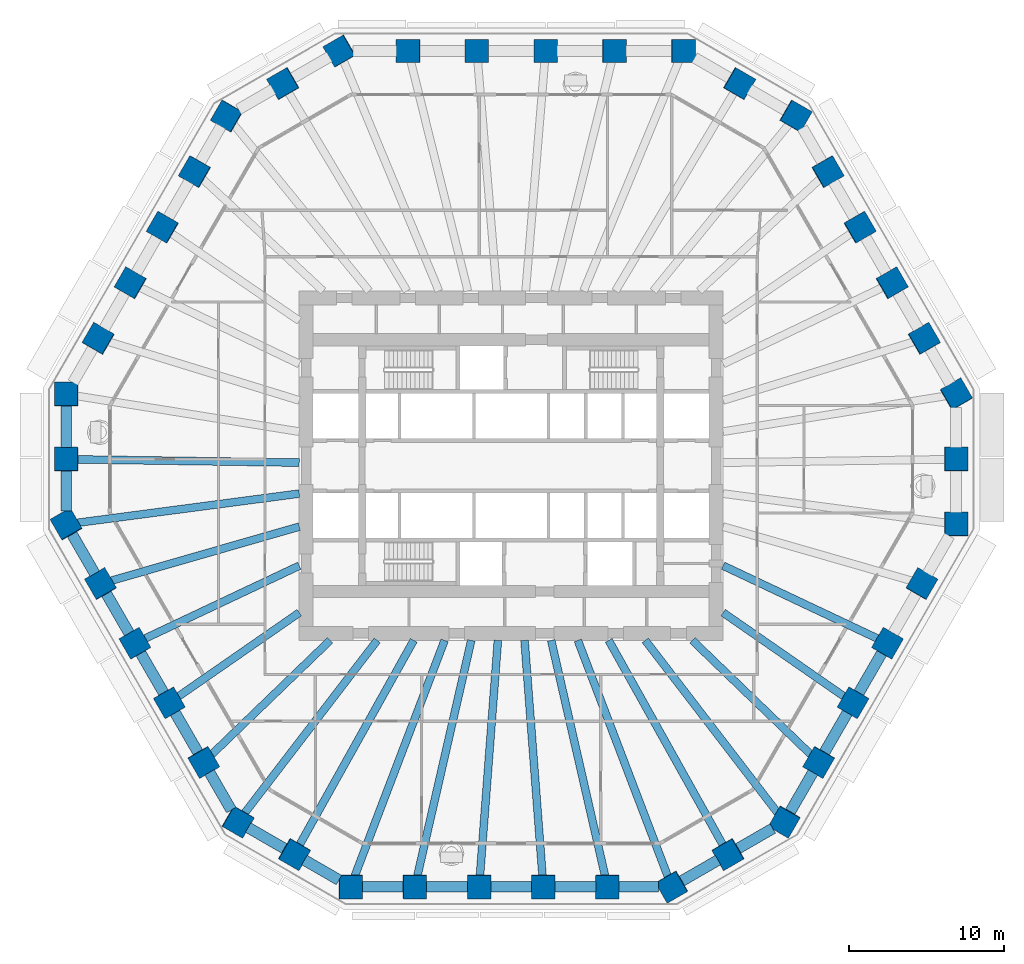
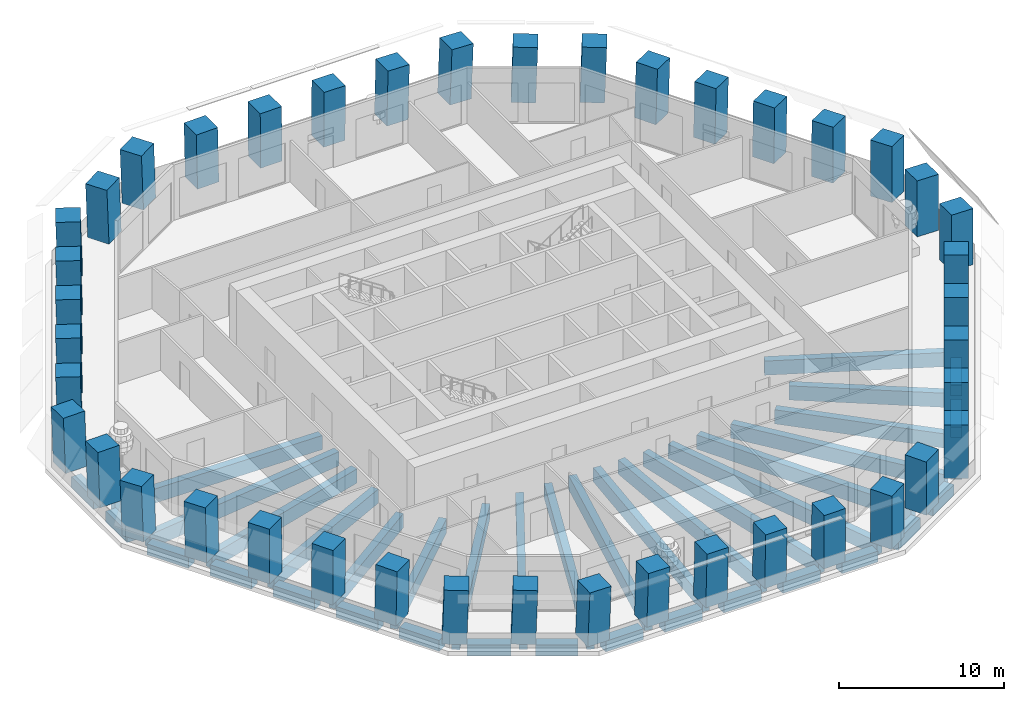
# One storey, part 1 of 13: 42 columns, 38 beams.
"""IFC4 building model written with IfcOpenShell, lengths in metres."""

from ifc_helpers import new_model, si_unit, direction, frame, origin, origin_2d, place, context, subcontext, project, spatial, rectangle, extrude, material, material_profile, profile_set, type_object, element, save


model = new_model("IFC4")

# Units and contexts
model_context = context("Model", 3, precision=1e-05, world=origin(), true_north=direction((0.0, 1.0)))
body_context = subcontext(model_context, "Body", "Model", "MODEL_VIEW")
ifc_project = project(units=[si_unit("LENGTHUNIT", "METRE"), si_unit("AREAUNIT", "SQUARE_METRE"), si_unit("VOLUMEUNIT", "CUBIC_METRE"), si_unit("PLANEANGLEUNIT", "RADIAN"), si_unit("MASSUNIT", "GRAM", prefix="KILO")], contexts=[model_context])

# Site, building, storey
site_placement = place(None, origin())
site = spatial("IfcSite", under=ifc_project, at=site_placement, CompositionType="ELEMENT")
building_placement = place(site_placement, origin())
building = spatial("IfcBuilding", under=site, at=building_placement, Name="Frailejon Research Tower", CompositionType="ELEMENT")
storey_placement = place(building_placement, frame((0.0, 0.0, 27.800048828125)))
storey = spatial("IfcBuildingStorey", under=building, at=storey_placement, Name="L06", CompositionType="ELEMENT", Elevation=27.800048828125)

# Columns
ifc_material_1 = material(Name="Concrete C70/85", Category="concrete")
ifc_material_profile_1 = material_profile(ifc_material_1, rectangle(XDim=1.5, YDim=1.5, at=origin_2d()), Name="Column 1500")
ifc_profile_set_1 = profile_set([ifc_material_profile_1], Name="Concrete C70/85")
column_type = type_object("IfcColumnType", Name="Column 1500", PredefinedType="COLUMN", material=ifc_profile_set_1)
for number, where, z_axis, x_axis, name in (
    (1, (28.65234375, -3.772705078125, 0.0), (0.018132630042, 0.031385715123, 0.999342856388), (-0.000336383425, 0.999507319949, -0.031384776797), "Column C01"),
    (2, (28.65234375, 0.414794921875, 0.0), (0.018132630042, 0.031385715123, 0.999342856388), (-2.2275817e-05, 0.999507197449, -0.031390472292), "Column C02"),
    (3, (28.65234375, 4.602294921875, 0.0), (0.018132595726, 0.031445896907, 0.999340965106), (-0.50065774428, 0.865455051457, -0.018148746509), "Column C03"),
):
    element("IfcColumn", number, at=place(storey_placement, frame(where, z_axis=z_axis, x_axis=x_axis)), inside=storey, type_object=column_type, Name=name, PredefinedType="COLUMN", context=body_context, shape_type="SweptSolid", body=[
        extrude(rectangle(XDim=1.5, YDim=1.5, at=origin_2d()), origin(), (0.0, 0.0, 1.0), 4.052734375),
    ])
column_1_placement = place(storey_placement, frame((26.584228515625, 8.184326171875, 0.0), z_axis=(0.021749390218, 0.025123256844, 0.9994477405), x_axis=(-0.500502362591, 0.865666942435, -0.01086875412)))
element("IfcColumn", 4, at=column_1_placement, inside=storey, type_object=column_type, Name="Column C04", PredefinedType="COLUMN", context=body_context, shape_type="SweptSolid", body=[
    extrude(rectangle(XDim=1.5, YDim=1.5, at=origin_2d()), origin(), (0.0, 0.0, 1.0), 4.05224609375),
])
for number, where, z_axis, x_axis, name in (
    (5, (24.51611328125, 11.766357421875, 0.0), (0.025365582388, 0.018858497119, 0.999500347332), (-0.500321526885, 0.865832042738, -0.003639162491), "Column C05"),
    (6, (22.447998046875, 15.348388671875, 0.0), (0.029040838643, 0.012592396839, 0.999498905068), (-0.500309041058, 0.865839303482, 0.003628220107), "Column C06"),
):
    element("IfcColumn", number, at=place(storey_placement, frame(where, z_axis=z_axis, x_axis=x_axis)), inside=storey, type_object=column_type, Name=name, PredefinedType="COLUMN", context=body_context, shape_type="SweptSolid", body=[
        extrude(rectangle(XDim=1.5, YDim=1.5, at=origin_2d()), origin(), (0.0, 0.0, 1.0), 4.052001953125),
    ])
column_2_placement = place(storey_placement, frame((20.3798828125, 18.930419921875, 0.0), z_axis=(0.032654187208, 0.006265748099, 0.999447069363), x_axis=(-0.498938011444, 0.86656951925, 0.010868718561)))
element("IfcColumn", 7, at=column_2_placement, inside=storey, type_object=column_type, Name="Column C07", PredefinedType="COLUMN", context=body_context, shape_type="SweptSolid", body=[
    extrude(rectangle(XDim=1.5, YDim=1.5, at=origin_2d()), origin(), (0.0, 0.0, 1.0), 4.05224609375),
])
for number, where, z_axis, x_axis, name in (
    (8, (18.31201171875, 22.512451171875, 0.0), (0.036265236264, 0.0, 0.999342199969), (-0.865313546461, 0.500246354177, 0.031401456084), "Column C08"),
    (9, (14.685302734375, 24.606201171875, 0.0), (0.036325398096, 0.0, 0.999340014936), (-0.865311654478, 0.500246354177, 0.031453549198), "Column C09"),
    (10, (11.058837890625, 26.699951171875, 0.0), (0.036265236264, 0.0, 0.999342199969), (-0.999342199969, 0.0, 0.036265236264), "Column C10"),
):
    element("IfcColumn", number, at=place(storey_placement, frame(where, z_axis=z_axis, x_axis=x_axis)), inside=storey, type_object=column_type, Name=name, PredefinedType="COLUMN", context=body_context, shape_type="SweptSolid", body=[
        extrude(rectangle(XDim=1.5, YDim=1.5, at=origin_2d()), origin(), (0.0, 0.0, 1.0), 4.052734375),
    ])
column_3_placement = place(storey_placement, frame((6.63525390625, 26.699951171875, 0.0), z_axis=(0.021756257337, 0.0, 0.999763304621), x_axis=(-0.999763304621, 0.0, 0.021756257337)))
element("IfcColumn", 11, at=column_3_placement, inside=storey, type_object=column_type, Name="Column C11", PredefinedType="COLUMN", context=body_context, shape_type="SweptSolid", body=[
    extrude(rectangle(XDim=1.5, YDim=1.5, at=origin_2d()), origin(), (0.0, 0.0, 1.0), 4.051025390625),
])
for number, where, z_axis, x_axis, name in (
    (12, (2.2119140625, 26.699951171875, 0.0), (0.007233519834, 0.0, 0.999973837753), (-0.999973837753, 0.0, 0.007233519834), "Column C12"),
    (13, (-2.2119140625, 26.699951171875, 0.0), (-0.007233519834, 0.0, 0.999973837753), (-0.999973837753, 0.0, -0.007233519834), "Column C13"),
):
    element("IfcColumn", number, at=place(storey_placement, frame(where, z_axis=z_axis, x_axis=x_axis)), inside=storey, type_object=column_type, Name=name, PredefinedType="COLUMN", context=body_context, shape_type="SweptSolid", body=[
        extrude(rectangle(XDim=1.5, YDim=1.5, at=origin_2d()), origin(), (0.0, 0.0, 1.0), 4.050048828125),
    ])
column_4_placement = place(storey_placement, frame((-6.63525390625, 26.699951171875, 0.0), z_axis=(-0.021756257337, 0.0, 0.999763304621), x_axis=(-0.999763304621, 0.0, -0.021756257337)))
element("IfcColumn", 14, at=column_4_placement, inside=storey, type_object=column_type, Name="Column C14", PredefinedType="COLUMN", context=body_context, shape_type="SweptSolid", body=[
    extrude(rectangle(XDim=1.5, YDim=1.5, at=origin_2d()), origin(), (0.0, 0.0, 1.0), 4.051025390625),
])
for number, where, z_axis, x_axis, name in (
    (15, (-11.058837890625, 26.699951171875, 0.0), (-0.036265236264, 0.0, 0.999342199969), (-0.865313546461, -0.500246354177, -0.031401456084), "Column C15"),
    (16, (-14.685302734375, 24.606201171875, 0.0), (-0.036325398096, 0.0, 0.999340014936), (-0.865311654478, -0.500246354177, -0.031453549198), "Column C16"),
    (17, (-18.31201171875, 22.512451171875, 0.0), (-0.036265236264, 0.0, 0.999342199969), (-0.499424867419, -0.866167613071, -0.018123682572), "Column C17"),
):
    element("IfcColumn", number, at=place(storey_placement, frame(where, z_axis=z_axis, x_axis=x_axis)), inside=storey, type_object=column_type, Name=name, PredefinedType="COLUMN", context=body_context, shape_type="SweptSolid", body=[
        extrude(rectangle(XDim=1.5, YDim=1.5, at=origin_2d()), origin(), (0.0, 0.0, 1.0), 4.052734375),
    ])
column_5_placement = place(storey_placement, frame((-20.3798828125, 18.930419921875, 0.0), z_axis=(-0.032654187208, 0.006265748099, 0.999447069363), x_axis=(-0.498938011444, -0.86656951925, -0.010868718561)))
element("IfcColumn", 18, at=column_5_placement, inside=storey, type_object=column_type, Name="Column C18", PredefinedType="COLUMN", context=body_context, shape_type="SweptSolid", body=[
    extrude(rectangle(XDim=1.5, YDim=1.5, at=origin_2d()), origin(), (0.0, 0.0, 1.0), 4.05224609375),
])
for number, where, z_axis, x_axis, name in (
    (19, (-22.447998046875, 15.348388671875, 0.0), (-0.029040838643, 0.012592396839, 0.999498905068), (-0.500309041058, -0.865839303482, -0.003628220107), "Column C19"),
    (20, (-24.51611328125, 11.766357421875, 0.0), (-0.025365582388, 0.018858497119, 0.999500347332), (-0.500321526885, -0.865832042738, 0.003639162491), "Column C20"),
):
    element("IfcColumn", number, at=place(storey_placement, frame(where, z_axis=z_axis, x_axis=x_axis)), inside=storey, type_object=column_type, Name=name, PredefinedType="COLUMN", context=body_context, shape_type="SweptSolid", body=[
        extrude(rectangle(XDim=1.5, YDim=1.5, at=origin_2d()), origin(), (0.0, 0.0, 1.0), 4.052001953125),
    ])
column_6_placement = place(storey_placement, frame((-26.584228515625, 8.184326171875, 0.0), z_axis=(-0.021749390218, 0.025123256844, 0.9994477405), x_axis=(-0.500502362591, -0.865666942435, 0.01086875412)))
element("IfcColumn", 21, at=column_6_placement, inside=storey, type_object=column_type, Name="Column C21", PredefinedType="COLUMN", context=body_context, shape_type="SweptSolid", body=[
    extrude(rectangle(XDim=1.5, YDim=1.5, at=origin_2d()), origin(), (0.0, 0.0, 1.0), 4.05224609375),
])
for number, where, z_axis, x_axis, name in (
    (22, (-28.65234375, 4.602294921875, 0.0), (-0.018132595726, 0.031445896907, 0.999340965106), (-0.000852885111, -0.999505415626, 0.031435596392), "Column C22"),
    (23, (-28.65234375, 0.414794921875, 0.0), (-0.018132630042, 0.031385715123, 0.999342856388), (-2.2275817e-05, -0.999507197449, 0.031390472292), "Column C23"),
    (24, (-28.65234375, -3.772705078125, 0.0), (-0.018132630042, 0.031385715123, 0.999342856388), (0.49987281181, -0.865340000596, 0.036247143087), "Column C24"),
):
    element("IfcColumn", number, at=place(storey_placement, frame(where, z_axis=z_axis, x_axis=x_axis)), inside=storey, type_object=column_type, Name=name, PredefinedType="COLUMN", context=body_context, shape_type="SweptSolid", body=[
        extrude(rectangle(XDim=1.5, YDim=1.5, at=origin_2d()), origin(), (0.0, 0.0, 1.0), 4.052734375),
    ])
column_7_placement = place(storey_placement, frame((-26.4404296875, -7.603515625, 0.0), z_axis=(-0.010908266268, 0.018803199313, 0.999763696792), x_axis=(0.501388074159, -0.864949390756, 0.021738227219)))
element("IfcColumn", 25, at=column_7_placement, inside=storey, type_object=column_type, Name="Column C25", PredefinedType="COLUMN", context=body_context, shape_type="SweptSolid", body=[
    extrude(rectangle(XDim=1.5, YDim=1.5, at=origin_2d()), origin(), (0.0, 0.0, 1.0), 4.051025390625),
])
for number, where, z_axis, x_axis, name in (
    (26, (-24.228759765625, -11.4345703125, 0.0), (-0.003616759812, 0.006269050341, 0.999973808685), (0.500530036588, -0.865688916746, 0.00723753388), "Column C26"),
    (27, (-22.01708984375, -15.265380859375, 0.0), (0.003677036938, -0.006329325876, 0.999973209158), (0.500791168023, -0.86553718882, -0.007319890655), "Column C27"),
):
    element("IfcColumn", number, at=place(storey_placement, frame(where, z_axis=z_axis, x_axis=x_axis)), inside=storey, type_object=column_type, Name=name, PredefinedType="COLUMN", context=body_context, shape_type="SweptSolid", body=[
        extrude(rectangle(XDim=1.5, YDim=1.5, at=origin_2d()), origin(), (0.0, 0.0, 1.0), 4.050048828125),
    ])
column_8_placement = place(storey_placement, frame((-19.80517578125, -19.096435546875, 0.0), z_axis=(0.010908266268, -0.018803199313, 0.999763696792), x_axis=(0.501388074159, -0.864949390756, -0.021738227219)))
element("IfcColumn", 28, at=column_8_placement, inside=storey, type_object=column_type, Name="Column C28", PredefinedType="COLUMN", context=body_context, shape_type="SweptSolid", body=[
    extrude(rectangle(XDim=1.5, YDim=1.5, at=origin_2d()), origin(), (0.0, 0.0, 1.0), 4.051025390625),
])
for number, where, z_axis, x_axis, name in (
    (29, (-17.593505859375, -22.92724609375, 0.0), (0.018132630042, -0.031385715123, 0.999342856388), (0.865999247617, -0.499059286831, -0.031386802217), "Column C29"),
    (30, (-13.966796875, -25.02099609375, 0.0), (0.018132630042, -0.031385715123, 0.999342856388), (0.866156195426, -0.498787200508, -0.031381104725), "Column C30"),
    (31, (-10.34033203125, -27.11474609375, 0.0), (0.018132595726, -0.031445896907, 0.999340965106), (0.99983524919, -0.000256147078, -0.018149624376), "Column C31"),
):
    element("IfcColumn", number, at=place(storey_placement, frame(where, z_axis=z_axis, x_axis=x_axis)), inside=storey, type_object=column_type, Name=name, PredefinedType="COLUMN", context=body_context, shape_type="SweptSolid", body=[
        extrude(rectangle(XDim=1.5, YDim=1.5, at=origin_2d()), origin(), (0.0, 0.0, 1.0), 4.052734375),
    ])
column_9_placement = place(storey_placement, frame((-6.2041015625, -27.11474609375, 0.0), z_axis=(0.010844558034, -0.031449218299, 0.999446517944), x_axis=(0.999940272601, -0.001017302155, -0.010881926626)))
element("IfcColumn", 32, at=column_9_placement, inside=storey, type_object=column_type, Name="Column C32", PredefinedType="COLUMN", context=body_context, shape_type="SweptSolid", body=[
    extrude(rectangle(XDim=1.5, YDim=1.5, at=origin_2d()), origin(), (0.0, 0.0, 1.0), 4.05224609375),
])
for number, where, z_axis, x_axis, name in (
    (33, (-2.068115234375, -27.11474609375, 0.0), (0.003615041636, -0.031450862236, 0.999498761749), (0.999993193045, -0.000624412618, -0.003636478086), "Column C33"),
    (34, (2.068115234375, -27.11474609375, 0.0), (-0.003615041636, -0.031450862236, 0.999498761749), (0.999993193045, 0.000624412618, 0.003636478086), "Column C34"),
):
    element("IfcColumn", number, at=place(storey_placement, frame(where, z_axis=z_axis, x_axis=x_axis)), inside=storey, type_object=column_type, Name=name, PredefinedType="COLUMN", context=body_context, shape_type="SweptSolid", body=[
        extrude(rectangle(XDim=1.5, YDim=1.5, at=origin_2d()), origin(), (0.0, 0.0, 1.0), 4.052001953125),
    ])
column_10_placement = place(storey_placement, frame((6.2041015625, -27.11474609375, 0.0), z_axis=(-0.010844558034, -0.031449218299, 0.999446517944), x_axis=(0.999940272601, 0.001017302155, 0.010881926626)))
element("IfcColumn", 35, at=column_10_placement, inside=storey, type_object=column_type, Name="Column C35", PredefinedType="COLUMN", context=body_context, shape_type="SweptSolid", body=[
    extrude(rectangle(XDim=1.5, YDim=1.5, at=origin_2d()), origin(), (0.0, 0.0, 1.0), 4.05224609375),
])
for number, where, z_axis, x_axis, name in (
    (36, (10.34033203125, -27.11474609375, 0.0), (-0.018132595726, -0.031445896907, 0.999340965106), (0.865469370655, 0.499974541214, 0.031436071558), "Column C36"),
    (37, (13.966796875, -25.02099609375, 0.0), (-0.018132630042, -0.031385715123, 0.999342856388), (0.866156195426, 0.498787200508, 0.031381104725), "Column C37"),
    (38, (17.593505859375, -22.92724609375, 0.0), (-0.018132630042, -0.031385715123, 0.999342856388), (0.49987281181, 0.865340000596, 0.036247143087), "Column C38"),
):
    element("IfcColumn", number, at=place(storey_placement, frame(where, z_axis=z_axis, x_axis=x_axis)), inside=storey, type_object=column_type, Name=name, PredefinedType="COLUMN", context=body_context, shape_type="SweptSolid", body=[
        extrude(rectangle(XDim=1.5, YDim=1.5, at=origin_2d()), origin(), (0.0, 0.0, 1.0), 4.052734375),
    ])
column_11_placement = place(storey_placement, frame((19.80517578125, -19.096435546875, 0.0), z_axis=(-0.010908266268, -0.018803199313, 0.999763696792), x_axis=(0.501388074159, 0.864949390756, 0.021738227219)))
element("IfcColumn", 39, at=column_11_placement, inside=storey, type_object=column_type, Name="Column C39", PredefinedType="COLUMN", context=body_context, shape_type="SweptSolid", body=[
    extrude(rectangle(XDim=1.5, YDim=1.5, at=origin_2d()), origin(), (0.0, 0.0, 1.0), 4.051025390625),
])
for number, where, z_axis, x_axis, name in (
    (40, (22.01708984375, -15.265380859375, 0.0), (-0.003677036938, -0.006329325876, 0.999973209158), (0.500791168023, 0.86553718882, 0.007319890655), "Column C40"),
    (41, (24.228759765625, -11.4345703125, 0.0), (0.003616759812, 0.006269050341, 0.999973808685), (0.500530036588, 0.865688916746, -0.00723753388), "Column C41"),
):
    element("IfcColumn", number, at=place(storey_placement, frame(where, z_axis=z_axis, x_axis=x_axis)), inside=storey, type_object=column_type, Name=name, PredefinedType="COLUMN", context=body_context, shape_type="SweptSolid", body=[
        extrude(rectangle(XDim=1.5, YDim=1.5, at=origin_2d()), origin(), (0.0, 0.0, 1.0), 4.050048828125),
    ])
column_12_placement = place(storey_placement, frame((26.4404296875, -7.603515625, 0.0), z_axis=(0.010908266268, 0.018803199313, 0.999763696792), x_axis=(0.501388074159, 0.864949390756, -0.021738227219)))
element("IfcColumn", 42, at=column_12_placement, inside=storey, type_object=column_type, Name="Column C42", PredefinedType="COLUMN", context=body_context, shape_type="SweptSolid", body=[
    extrude(rectangle(XDim=1.5, YDim=1.5, at=origin_2d()), origin(), (0.0, 0.0, 1.0), 4.051025390625),
])

# Beams
ifc_material_2 = material(Name="Concrete C60/75", Category="concrete")
ifc_material_profile_2 = material_profile(ifc_material_2, rectangle(XDim=0.5, YDim=1.050048828125, at=origin_2d()), Name="Girder 500x1050")
ifc_profile_set_2 = profile_set([ifc_material_profile_2], Name="Concrete C60/75")
beam_type_1 = type_object("IfcBeamType", Name="Girder 500x1050", PredefinedType="BEAM", material=ifc_profile_set_2)
beam_1_placement = place(storey_placement, frame((-28.05224609375, 0.406005859375, -0.824951171875), z_axis=(0.999895231374, -0.014475022505, 0.0), x_axis=(0.014475022505, 0.999895231374, 0.0)))
element("IfcBeam", 43, at=beam_1_placement, inside=storey, type_object=beam_type_1, Name="Girder 500x1050", PredefinedType="BEAM", context=body_context, shape_type="SweptSolid", body=[
    extrude(rectangle(XDim=0.5, YDim=1.050048828125, at=origin_2d()), origin(), (0.0, 0.0, 1.0), 14.40380859375),
])
beam_2_placement = place(storey_placement, frame((-27.99609375, -3.686279296875, -0.824951171875), z_axis=(0.991443036075, 0.130540055991, 0.0), x_axis=(-0.130540055991, 0.991443036075, 0.0)))
element("IfcBeam", 44, at=beam_2_placement, inside=storey, type_object=beam_type_1, Name="Girder 500x1050", PredefinedType="BEAM", context=body_context, shape_type="SweptSolid", body=[
    extrude(rectangle(XDim=0.5, YDim=1.050048828125, at=origin_2d()), origin(), (0.0, 0.0, 1.0), 14.469970703125),
])
beam_3_placement = place(storey_placement, frame((-25.841796875, -7.431396484375, -0.824951171875), z_axis=(0.961049753926, 0.276375415838, 0.0), x_axis=(-0.276375415838, 0.961049753926, 0.0)))
element("IfcBeam", 45, at=beam_3_placement, inside=storey, type_object=beam_type_1, Name="Girder 500x1050", PredefinedType="BEAM", context=body_context, shape_type="SweptSolid", body=[
    extrude(rectangle(XDim=0.5, YDim=1.050048828125, at=origin_2d()), origin(), (0.0, 0.0, 1.0), 12.68603515625),
])
beam_4_placement = place(storey_placement, frame((-23.683837890625, -11.17724609375, -0.824951171875), z_axis=(0.904349396499, 0.426792887771, 0.0), x_axis=(-0.426792887771, 0.904349396499, 0.0)))
element("IfcBeam", 46, at=beam_4_placement, inside=storey, type_object=beam_type_1, Name="Girder 500x1050", PredefinedType="BEAM", context=body_context, shape_type="SweptSolid", body=[
    extrude(rectangle(XDim=0.5, YDim=1.050048828125, at=origin_2d()), origin(), (0.0, 0.0, 1.0), 11.09521484375),
])
beam_5_placement = place(storey_placement, frame((-21.521728515625, -14.922119140625, -0.824951171875), z_axis=(0.821787347361, 0.569794310008, 0.0), x_axis=(-0.569794310008, 0.821787347361, 0.0)))
element("IfcBeam", 47, at=beam_5_placement, inside=storey, type_object=beam_type_1, Name="Girder 500x1050", PredefinedType="BEAM", context=body_context, shape_type="SweptSolid", body=[
    extrude(rectangle(XDim=0.5, YDim=1.050048828125, at=origin_2d()), origin(), (0.0, 0.0, 1.0), 9.578857421875),
])
beam_6_placement = place(storey_placement, frame((-19.35693359375, -18.6640625, -0.824951171875), z_axis=(0.719880187671, 0.694098347066, 0.0), x_axis=(-0.694098347066, 0.719880187671, 0.0)))
element("IfcBeam", 48, at=beam_6_placement, inside=storey, type_object=beam_type_1, Name="Girder 500x1050", PredefinedType="BEAM", context=body_context, shape_type="SweptSolid", body=[
    extrude(rectangle(XDim=0.5, YDim=1.050048828125, at=origin_2d()), origin(), (0.0, 0.0, 1.0), 10.681640625),
])
beam_7_placement = place(storey_placement, frame((-17.22412109375, -22.4462890625, -0.824951171875), z_axis=(0.608765613754, 0.793350129206, 0.0), x_axis=(-0.793350129206, 0.608765613754, 0.0)))
element("IfcBeam", 49, at=beam_7_placement, inside=storey, type_object=beam_type_1, Name="Girder 500x1050", PredefinedType="BEAM", context=body_context, shape_type="SweptSolid", body=[
    extrude(rectangle(XDim=0.5, YDim=1.050048828125, at=origin_2d()), origin(), (0.0, 0.0, 1.0), 14.112548828125),
])
beam_8_placement = place(storey_placement, frame((-13.67431640625, -24.4970703125, -0.824951171875), z_axis=(0.487407249146, 0.87317476686, 0.0), x_axis=(-0.87317476686, 0.487407249146, 0.0)))
element("IfcBeam", 50, at=beam_8_placement, inside=storey, type_object=beam_type_1, Name="Girder 500x1050", PredefinedType="BEAM", context=body_context, shape_type="SweptSolid", body=[
    extrude(rectangle(XDim=0.5, YDim=1.050048828125, at=origin_2d()), origin(), (0.0, 0.0, 1.0), 15.171142578125),
])
beam_9_placement = place(storey_placement, frame((-10.10791015625, -26.5048828125, -0.824951171875), z_axis=(0.356329229017, 0.934360466067, 0.0), x_axis=(-0.934360466067, 0.356329229017, 0.0)))
element("IfcBeam", 51, at=beam_9_placement, inside=storey, type_object=beam_type_1, Name="Girder 500x1050", PredefinedType="BEAM", context=body_context, shape_type="SweptSolid", body=[
    extrude(rectangle(XDim=0.5, YDim=1.050048828125, at=origin_2d()), origin(), (0.0, 0.0, 1.0), 16.32666015625),
])
beam_10_placement = place(storey_placement, frame((-6.06591796875, -26.510986328125, -0.824951171875), z_axis=(0.223035669796, 0.974810284106, 0.0), x_axis=(-0.974810284106, 0.223035669796, 0.0)))
element("IfcBeam", 52, at=beam_10_placement, inside=storey, type_object=beam_type_1, Name="Girder 500x1050", PredefinedType="BEAM", context=body_context, shape_type="SweptSolid", body=[
    extrude(rectangle(XDim=0.5, YDim=1.050048828125, at=origin_2d()), origin(), (0.0, 0.0, 1.0), 15.6552734375),
])
for number, where, z_axis, x_axis, name in (
    (53, (-2.022216796875, -26.514404296875, -0.824951171875), (0.076039151074, 0.997104832755, 0.0), (-0.997104832755, 0.076039151074, 0.0), "Girder 500x1050"),
    (54, (2.022216796875, -26.514404296875, -0.824951171875), (-0.076039151074, 0.997104832755, 0.0), (-0.997104832755, -0.076039151074, 0.0), "Girder 500x1050"),
):
    element("IfcBeam", number, at=place(storey_placement, frame(where, z_axis=z_axis, x_axis=x_axis)), inside=storey, type_object=beam_type_1, Name=name, PredefinedType="BEAM", context=body_context, shape_type="SweptSolid", body=[
        extrude(rectangle(XDim=0.5, YDim=1.050048828125, at=origin_2d()), origin(), (0.0, 0.0, 1.0), 15.308837890625),
    ])
beam_11_placement = place(storey_placement, frame((6.06591796875, -26.510986328125, -0.824951171875), z_axis=(-0.223035669796, 0.974810284106, 0.0), x_axis=(-0.974810284106, -0.223035669796, 0.0)))
element("IfcBeam", 55, at=beam_11_placement, inside=storey, type_object=beam_type_1, Name="Girder 500x1050", PredefinedType="BEAM", context=body_context, shape_type="SweptSolid", body=[
    extrude(rectangle(XDim=0.5, YDim=1.050048828125, at=origin_2d()), origin(), (0.0, 0.0, 1.0), 15.6552734375),
])
beam_12_placement = place(storey_placement, frame((10.123291015625, -26.545166015625, -0.824951171875), z_axis=(-0.356330209871, 0.934360092006, 0.0), x_axis=(-0.934360092006, -0.356330209871, 0.0)))
element("IfcBeam", 56, at=beam_12_placement, inside=storey, type_object=beam_type_1, Name="Girder 500x1050", PredefinedType="BEAM", context=body_context, shape_type="SweptSolid", body=[
    extrude(rectangle(XDim=0.5, YDim=1.050048828125, at=origin_2d()), origin(), (0.0, 0.0, 1.0), 16.36962890625),
])
beam_13_placement = place(storey_placement, frame((13.67431640625, -24.4970703125, -0.824951171875), z_axis=(-0.487407249146, 0.87317476686, 0.0), x_axis=(-0.87317476686, -0.487407249146, 0.0)))
element("IfcBeam", 57, at=beam_13_placement, inside=storey, type_object=beam_type_1, Name="Girder 500x1050", PredefinedType="BEAM", context=body_context, shape_type="SweptSolid", body=[
    extrude(rectangle(XDim=0.5, YDim=1.050048828125, at=origin_2d()), origin(), (0.0, 0.0, 1.0), 15.171142578125),
])
beam_14_placement = place(storey_placement, frame((17.1904296875, -22.40234375, -0.824951171875), z_axis=(-0.608766929502, 0.793349119584, 0.0), x_axis=(-0.793349119584, -0.608766929502, 0.0)))
element("IfcBeam", 58, at=beam_14_placement, inside=storey, type_object=beam_type_1, Name="Girder 500x1050", PredefinedType="BEAM", context=body_context, shape_type="SweptSolid", body=[
    extrude(rectangle(XDim=0.5, YDim=1.050048828125, at=origin_2d()), origin(), (0.0, 0.0, 1.0), 14.057373046875),
])
beam_15_placement = place(storey_placement, frame((19.35693359375, -18.6640625, -0.824951171875), z_axis=(-0.719880187671, 0.694098347066, 0.0), x_axis=(-0.694098347066, -0.719880187671, 0.0)))
element("IfcBeam", 59, at=beam_15_placement, inside=storey, type_object=beam_type_1, Name="Girder 500x1050", PredefinedType="BEAM", context=body_context, shape_type="SweptSolid", body=[
    extrude(rectangle(XDim=0.5, YDim=1.050048828125, at=origin_2d()), origin(), (0.0, 0.0, 1.0), 10.681640625),
])
beam_16_placement = place(storey_placement, frame((21.521728515625, -14.922119140625, -0.824951171875), z_axis=(-0.821787347361, 0.569794310008, 0.0), x_axis=(-0.569794310008, -0.821787347361, 0.0)))
element("IfcBeam", 60, at=beam_16_placement, inside=storey, type_object=beam_type_1, Name="Girder 500x1050", PredefinedType="BEAM", context=body_context, shape_type="SweptSolid", body=[
    extrude(rectangle(XDim=0.5, YDim=1.050048828125, at=origin_2d()), origin(), (0.0, 0.0, 1.0), 9.578857421875),
])
beam_17_placement = place(storey_placement, frame((23.683837890625, -11.17724609375, -0.824951171875), z_axis=(-0.904349396499, 0.426792887771, 0.0), x_axis=(-0.426792887771, -0.904349396499, 0.0)))
element("IfcBeam", 61, at=beam_17_placement, inside=storey, type_object=beam_type_1, Name="Girder 500x1050", PredefinedType="BEAM", context=body_context, shape_type="SweptSolid", body=[
    extrude(rectangle(XDim=0.5, YDim=1.050048828125, at=origin_2d()), origin(), (0.0, 0.0, 1.0), 11.09521484375),
])
ifc_material_3 = material(Name="Concrete C60/75", Category="concrete")
ifc_material_profile_3 = material_profile(ifc_material_3, rectangle(XDim=0.699951171875, YDim=0.800048828125, at=origin_2d()), Name="Spandrel 700x800")
ifc_profile_set_3 = profile_set([ifc_material_profile_3], Name="Concrete C60/75")
beam_type_2 = type_object("IfcBeamType", Name="Spandrel 700x800", PredefinedType="BEAM", material=ifc_profile_set_3)
beam_18_placement = place(storey_placement, frame((-28.65234375, 3.852294921875, -0.75), z_axis=(0.0, -1.0, 0.0), x_axis=(1.0, 0.0, 0.0)))
element("IfcBeam", 62, at=beam_18_placement, inside=storey, type_object=beam_type_2, Name="Spandrel 700x800", PredefinedType="BEAM", context=body_context, shape_type="SweptSolid", body=[
    extrude(rectangle(XDim=0.699951171875, YDim=0.800048828125, at=origin_2d()), origin(), (0.0, 0.0, 1.0), 2.6875),
])
beam_19_placement = place(storey_placement, frame((-28.65234375, -0.335205078125, -0.75), z_axis=(0.0, -1.0, 0.0), x_axis=(1.0, 0.0, 0.0)))
element("IfcBeam", 63, at=beam_19_placement, inside=storey, type_object=beam_type_2, Name="Spandrel 700x800", PredefinedType="BEAM", context=body_context, shape_type="SweptSolid", body=[
    extrude(rectangle(XDim=0.699951171875, YDim=0.800048828125, at=origin_2d()), origin(), (0.0, 0.0, 1.0), 2.571533203125),
])
beam_20_placement = place(storey_placement, frame((-28.27734375, -4.422119140625, -0.75), z_axis=(0.500018810599, -0.866014543207, 0.0), x_axis=(0.866014543207, 0.500018810599, 0.0)))
element("IfcBeam", 64, at=beam_20_placement, inside=storey, type_object=beam_type_2, Name="Spandrel 700x800", PredefinedType="BEAM", context=body_context, shape_type="SweptSolid", body=[
    extrude(rectangle(XDim=0.699951171875, YDim=0.800048828125, at=origin_2d()), origin(), (0.0, 0.0, 1.0), 2.923828125),
])
beam_21_placement = place(storey_placement, frame((-26.0654296875, -8.253173828125, -0.75), z_axis=(0.499992340283, -0.866029826079, 0.0), x_axis=(0.866029826079, 0.499992340283, 0.0)))
element("IfcBeam", 65, at=beam_21_placement, inside=storey, type_object=beam_type_2, Name="Spandrel 700x800", PredefinedType="BEAM", context=body_context, shape_type="SweptSolid", body=[
    extrude(rectangle(XDim=0.699951171875, YDim=0.800048828125, at=origin_2d()), origin(), (0.0, 0.0, 1.0), 2.92333984375),
])
beam_22_placement = place(storey_placement, frame((-23.853759765625, -12.083984375, -0.75), z_axis=(0.499956180641, -0.866050701425, 0.0), x_axis=(0.866050701425, 0.499956180641, 0.0)))
element("IfcBeam", 66, at=beam_22_placement, inside=storey, type_object=beam_type_2, Name="Spandrel 700x800", PredefinedType="BEAM", context=body_context, shape_type="SweptSolid", body=[
    extrude(rectangle(XDim=0.699951171875, YDim=0.800048828125, at=origin_2d()), origin(), (0.0, 0.0, 1.0), 2.923583984375),
])
beam_23_placement = place(storey_placement, frame((-21.64208984375, -15.9150390625, -0.75), z_axis=(0.500018810599, -0.866014543207, 0.0), x_axis=(0.866014543207, 0.500018810599, 0.0)))
element("IfcBeam", 67, at=beam_23_placement, inside=storey, type_object=beam_type_2, Name="Spandrel 700x800", PredefinedType="BEAM", context=body_context, shape_type="SweptSolid", body=[
    extrude(rectangle(XDim=0.699951171875, YDim=0.800048828125, at=origin_2d()), origin(), (0.0, 0.0, 1.0), 2.923828125),
])
beam_24_placement = place(storey_placement, frame((-19.43017578125, -19.745849609375, -0.75), z_axis=(0.500011000363, -0.866019052629, 0.0), x_axis=(0.866019052629, 0.500011000363, 0.0)))
element("IfcBeam", 68, at=beam_24_placement, inside=storey, type_object=beam_type_2, Name="Spandrel 700x800", PredefinedType="BEAM", context=body_context, shape_type="SweptSolid", body=[
    extrude(rectangle(XDim=0.699951171875, YDim=0.800048828125, at=origin_2d()), origin(), (0.0, 0.0, 1.0), 2.8076171875),
])
beam_25_placement = place(storey_placement, frame((-16.94384765625, -23.30224609375, -0.75), z_axis=(0.866020687897, -0.500008168067, 0.0), x_axis=(0.500008168067, 0.866020687897, 0.0)))
element("IfcBeam", 69, at=beam_25_placement, inside=storey, type_object=beam_type_2, Name="Spandrel 700x800", PredefinedType="BEAM", context=body_context, shape_type="SweptSolid", body=[
    extrude(rectangle(XDim=0.699951171875, YDim=0.800048828125, at=origin_2d()), origin(), (0.0, 0.0, 1.0), 2.6875),
])
beam_26_placement = place(storey_placement, frame((-13.3173828125, -25.39599609375, -0.75), z_axis=(0.866008514048, -0.50002925274, 0.0), x_axis=(0.50002925274, 0.866008514048, 0.0)))
element("IfcBeam", 70, at=beam_26_placement, inside=storey, type_object=beam_type_2, Name="Spandrel 700x800", PredefinedType="BEAM", context=body_context, shape_type="SweptSolid", body=[
    extrude(rectangle(XDim=0.699951171875, YDim=0.800048828125, at=origin_2d()), origin(), (0.0, 0.0, 1.0), 2.571533203125),
])
beam_27_placement = place(storey_placement, frame((-9.59033203125, -27.11474609375, -0.75), z_axis=(1.0, 0.0, 0.0), x_axis=(0.0, 1.0, 0.0)))
element("IfcBeam", 71, at=beam_27_placement, inside=storey, type_object=beam_type_2, Name="Spandrel 700x800", PredefinedType="BEAM", context=body_context, shape_type="SweptSolid", body=[
    extrude(rectangle(XDim=0.699951171875, YDim=0.800048828125, at=origin_2d()), origin(), (0.0, 0.0, 1.0), 2.63623046875),
])
beam_28_placement = place(storey_placement, frame((-5.4541015625, -27.11474609375, -0.75), z_axis=(1.0, 0.0, 0.0), x_axis=(0.0, 1.0, 0.0)))
element("IfcBeam", 72, at=beam_28_placement, inside=storey, type_object=beam_type_2, Name="Spandrel 700x800", PredefinedType="BEAM", context=body_context, shape_type="SweptSolid", body=[
    extrude(rectangle(XDim=0.699951171875, YDim=0.800048828125, at=origin_2d()), origin(), (0.0, 0.0, 1.0), 2.635986328125),
])
beam_29_placement = place(storey_placement, frame((-1.318115234375, -27.11474609375, -0.75), z_axis=(1.0, 0.0, 0.0), x_axis=(0.0, 1.0, 0.0)))
element("IfcBeam", 73, at=beam_29_placement, inside=storey, type_object=beam_type_2, Name="Spandrel 700x800", PredefinedType="BEAM", context=body_context, shape_type="SweptSolid", body=[
    extrude(rectangle(XDim=0.699951171875, YDim=0.800048828125, at=origin_2d()), origin(), (0.0, 0.0, 1.0), 2.63623046875),
])
beam_30_placement = place(storey_placement, frame((2.818115234375, -27.11474609375, -0.75), z_axis=(1.0, 0.0, 0.0), x_axis=(0.0, 1.0, 0.0)))
element("IfcBeam", 74, at=beam_30_placement, inside=storey, type_object=beam_type_2, Name="Spandrel 700x800", PredefinedType="BEAM", context=body_context, shape_type="SweptSolid", body=[
    extrude(rectangle(XDim=0.699951171875, YDim=0.800048828125, at=origin_2d()), origin(), (0.0, 0.0, 1.0), 2.635986328125),
])
beam_31_placement = place(storey_placement, frame((6.9541015625, -27.11474609375, -0.75), z_axis=(1.0, 0.0, 0.0), x_axis=(0.0, 1.0, 0.0)))
element("IfcBeam", 75, at=beam_31_placement, inside=storey, type_object=beam_type_2, Name="Spandrel 700x800", PredefinedType="BEAM", context=body_context, shape_type="SweptSolid", body=[
    extrude(rectangle(XDim=0.699951171875, YDim=0.800048828125, at=origin_2d()), origin(), (0.0, 0.0, 1.0), 2.520263671875),
])
beam_32_placement = place(storey_placement, frame((10.989990234375, -26.73974609375, -0.75), z_axis=(0.866020687897, 0.500008168067, 0.0), x_axis=(-0.500008168067, 0.866020687897, 0.0)))
element("IfcBeam", 76, at=beam_32_placement, inside=storey, type_object=beam_type_2, Name="Spandrel 700x800", PredefinedType="BEAM", context=body_context, shape_type="SweptSolid", body=[
    extrude(rectangle(XDim=0.699951171875, YDim=0.800048828125, at=origin_2d()), origin(), (0.0, 0.0, 1.0), 2.6875),
])
beam_33_placement = place(storey_placement, frame((14.616455078125, -24.64599609375, -0.75), z_axis=(0.86604962328, 0.499958048256, 0.0), x_axis=(-0.499958048256, 0.86604962328, 0.0)))
element("IfcBeam", 77, at=beam_33_placement, inside=storey, type_object=beam_type_2, Name="Spandrel 700x800", PredefinedType="BEAM", context=body_context, shape_type="SweptSolid", body=[
    extrude(rectangle(XDim=0.699951171875, YDim=0.800048828125, at=origin_2d()), origin(), (0.0, 0.0, 1.0), 2.571533203125),
])
beam_34_placement = place(storey_placement, frame((17.968505859375, -22.27783203125, -0.75), z_axis=(0.499956180641, 0.866050701425, 0.0), x_axis=(-0.866050701425, 0.499956180641, 0.0)))
element("IfcBeam", 78, at=beam_34_placement, inside=storey, type_object=beam_type_2, Name="Spandrel 700x800", PredefinedType="BEAM", context=body_context, shape_type="SweptSolid", body=[
    extrude(rectangle(XDim=0.699951171875, YDim=0.800048828125, at=origin_2d()), origin(), (0.0, 0.0, 1.0), 2.923583984375),
])
beam_35_placement = place(storey_placement, frame((20.18017578125, -18.447021484375, -0.75), z_axis=(0.500018810599, 0.866014543207, 0.0), x_axis=(-0.866014543207, 0.500018810599, 0.0)))
element("IfcBeam", 79, at=beam_35_placement, inside=storey, type_object=beam_type_2, Name="Spandrel 700x800", PredefinedType="BEAM", context=body_context, shape_type="SweptSolid", body=[
    extrude(rectangle(XDim=0.699951171875, YDim=0.800048828125, at=origin_2d()), origin(), (0.0, 0.0, 1.0), 2.923828125),
])
beam_36_placement = place(storey_placement, frame((22.39208984375, -14.615966796875, -0.75), z_axis=(0.499956180641, 0.866050701425, 0.0), x_axis=(-0.866050701425, 0.499956180641, 0.0)))
element("IfcBeam", 80, at=beam_36_placement, inside=storey, type_object=beam_type_2, Name="Spandrel 700x800", PredefinedType="BEAM", context=body_context, shape_type="SweptSolid", body=[
    extrude(rectangle(XDim=0.699951171875, YDim=0.800048828125, at=origin_2d()), origin(), (0.0, 0.0, 1.0), 2.923583984375),
])

save(model, "model.ifc")
